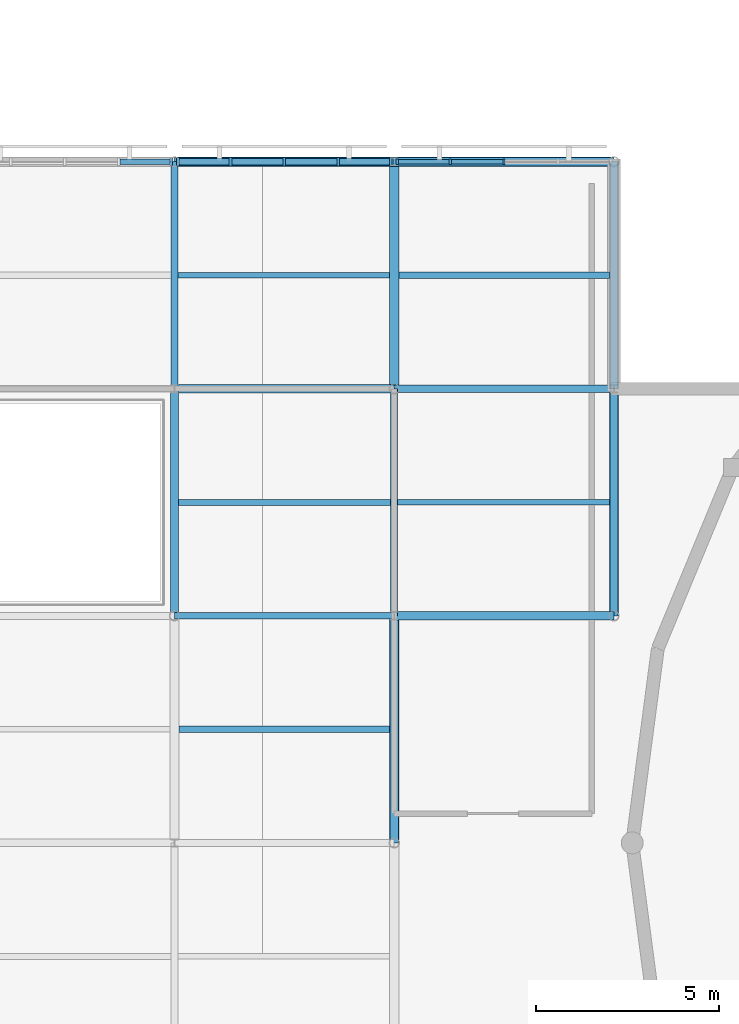
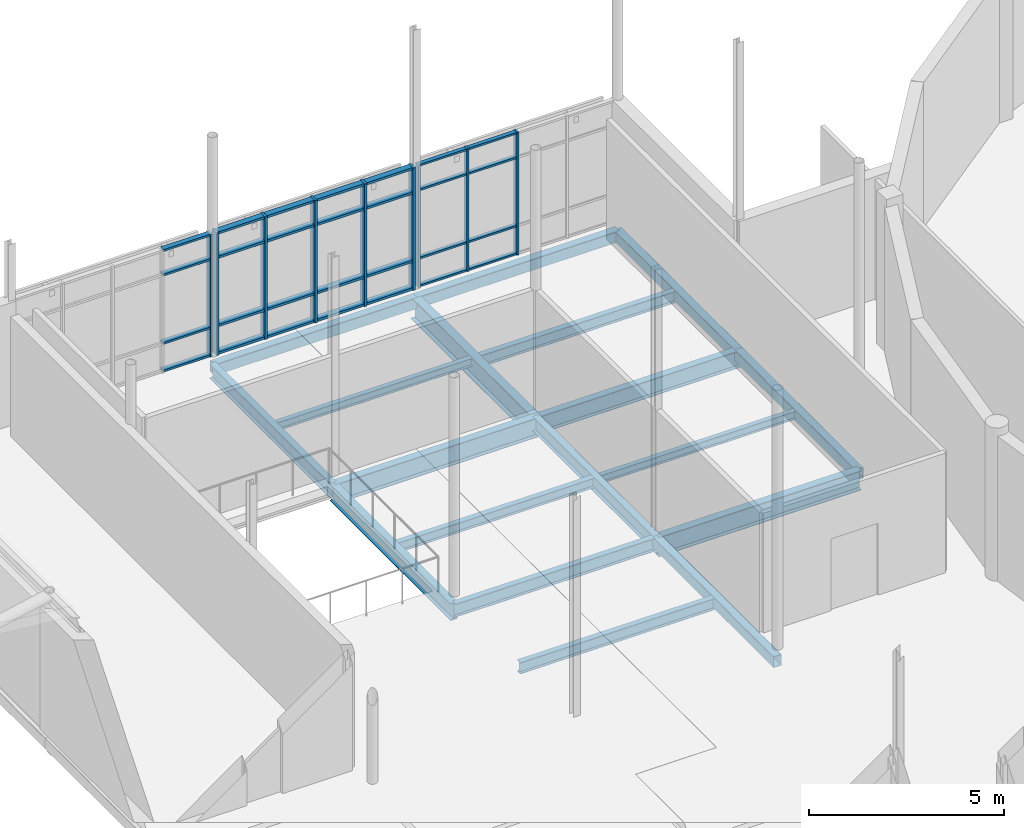
# One storey, part 26 of 66: 37 members, 18 beams, 3 elements without a shape of their own.
"""IFC4 building model written with IfcOpenShell, lengths in metres."""

from ifc_helpers import new_model, si_unit, direction, frame, origin, origin_2d, place, context, subcontext, project, spatial, rectangle, hollow_rectangle, i_section, extrude, material, layer, layer_set, material_profile, profile_set, type_object, element, aggregate, save


model = new_model("IFC4")

# Units and contexts
model_context = context("Model", 3, precision=1e-05, world=origin(), true_north=direction((0.0, 1.0)))
body_context = subcontext(model_context, "Body", "Model", "MODEL_VIEW")
ifc_project = project(units=[si_unit("LENGTHUNIT", "METRE"), si_unit("AREAUNIT", "SQUARE_METRE"), si_unit("VOLUMEUNIT", "CUBIC_METRE"), si_unit("PLANEANGLEUNIT", "RADIAN"), si_unit("MASSUNIT", "GRAM", prefix="KILO")], contexts=[model_context])

# Site, building, storey
site_placement = place(None, origin())
site = spatial("IfcSite", under=ifc_project, at=site_placement, CompositionType="ELEMENT")
building_placement = place(site_placement, origin())
building = spatial("IfcBuilding", under=site, at=building_placement, Name="Mirzam Square Science Centre", CompositionType="ELEMENT")
storey_placement = place(building_placement, frame((0.0, 0.0, 15.60009765625)))
storey = spatial("IfcBuildingStorey", under=building, at=storey_placement, Name="L03", CompositionType="ELEMENT", Elevation=15.60009765625)

# Beams
ifc_material_1 = material(Name="Steel S355", Category="steel")
ifc_material_profile_1 = material_profile(ifc_material_1, i_section(OverallWidth=0.1787109375, OverallDepth=0.409423828125, WebThickness=0.0087890625, FlangeThickness=0.014404296875, FilletRadius=0.01025390625, at=origin_2d()), Name="406x178x67UB")
ifc_profile_set_1 = profile_set([ifc_material_profile_1], Name="Steel S355")
beam_type_1 = type_object("IfcBeamType", Name="BM-UB406", PredefinedType="BEAM", material=ifc_profile_set_1)
beam_1_placement = place(storey_placement, frame((48.0, 68.199951171875, -0.46484375), z_axis=(1.0, 0.0, 0.0), x_axis=(0.0, 1.0, 0.0)))
element("IfcBeam", 1, at=beam_1_placement, inside=storey, type_object=beam_type_1, Name="L03 girder X9-12", PredefinedType="BEAM", context=body_context, shape_type="SweptSolid", body=[
    extrude(i_section(OverallWidth=0.1787109375, OverallDepth=0.409423828125, WebThickness=0.0087890625, FlangeThickness=0.014404296875, FilletRadius=0.01025390625, at=origin_2d()), origin(), (0.0, 0.0, 1.0), 6.0),
])
ifc_material_profile_2 = material_profile(ifc_material_1, i_section(OverallWidth=0.19140625, OverallDepth=0.4599609375, WebThickness=0.010009765625, FlangeThickness=0.01611328125, FilletRadius=0.01025390625, at=origin_2d()), Name="457x191x82UB")
ifc_profile_set_2 = profile_set([ifc_material_profile_2], Name="Steel S355")
beam_type_2 = type_object("IfcBeamType", Name="BM-UB457", PredefinedType="BEAM", material=ifc_profile_set_2)
beam_2_placement = place(storey_placement, frame((48.0, 74.39990234375, -0.489990234375), z_axis=(0.0, 1.0, 0.0), x_axis=(-1.0, 0.0, 0.0)))
element("IfcBeam", 2, at=beam_2_placement, inside=storey, type_object=beam_type_2, Name="L03 girder Y9-13", PredefinedType="BEAM", context=body_context, shape_type="SweptSolid", body=[
    extrude(i_section(OverallWidth=0.19140625, OverallDepth=0.4599609375, WebThickness=0.010009765625, FlangeThickness=0.01611328125, FilletRadius=0.01025390625, at=origin_2d()), origin(), (0.0, 0.0, 1.0), 6.2001953125),
])
beam_3_placement = place(storey_placement, frame((54.0, 68.199951171875, -0.489990234375), z_axis=(0.0, 1.0, 0.0), x_axis=(-1.0, 0.0, 0.0)))
element("IfcBeam", 3, at=beam_3_placement, inside=storey, type_object=beam_type_2, Name="L03 girder Y10-12", PredefinedType="BEAM", context=body_context, shape_type="SweptSolid", body=[
    extrude(i_section(OverallWidth=0.19140625, OverallDepth=0.4599609375, WebThickness=0.010009765625, FlangeThickness=0.01611328125, FilletRadius=0.01025390625, at=origin_2d()), origin(), (0.0, 0.0, 1.0), 6.199951171875),
])
ifc_material_profile_3 = material_profile(ifc_material_1, i_section(OverallWidth=0.2099609375, OverallDepth=0.53662109375, WebThickness=0.0107421875, FlangeThickness=0.017333984375, FilletRadius=0.0126953125, at=origin_2d()), Name="533x210x101UB")
ifc_profile_set_3 = profile_set([ifc_material_profile_3], Name="Steel S355")
beam_type_3 = type_object("IfcBeamType", Name="BM-UB533", PredefinedType="BEAM", material=ifc_profile_set_3)
beam_4_placement = place(storey_placement, frame((54.0, 74.39990234375, -0.528564453125), z_axis=(1.0, 0.0, 0.0), x_axis=(0.0, 1.0, 0.0)))
element("IfcBeam", 4, at=beam_4_placement, inside=storey, type_object=beam_type_3, Name="L03 girder X10-13", PredefinedType="BEAM", context=body_context, shape_type="SweptSolid", body=[
    extrude(i_section(OverallWidth=0.2099609375, OverallDepth=0.53662109375, WebThickness=0.0107421875, FlangeThickness=0.017333984375, FilletRadius=0.0126953125, at=origin_2d()), origin(), (0.0, 0.0, 1.0), 6.0),
])
beam_5_placement = place(storey_placement, frame((48.0, 68.199951171875, -0.528564453125), z_axis=(0.0, 1.0, 0.0), x_axis=(-1.0, 0.0, 0.0)))
element("IfcBeam", 5, at=beam_5_placement, inside=storey, type_object=beam_type_3, Name="L03 girder Y9-12", PredefinedType="BEAM", context=body_context, shape_type="SweptSolid", body=[
    extrude(i_section(OverallWidth=0.2099609375, OverallDepth=0.53662109375, WebThickness=0.0107421875, FlangeThickness=0.017333984375, FilletRadius=0.0126953125, at=origin_2d()), origin(), (0.0, 0.0, 1.0), 6.199951171875),
])
ifc_material_profile_4 = material_profile(ifc_material_1, i_section(OverallWidth=0.22900390625, OverallDepth=0.6123046875, WebThickness=0.011962890625, FlangeThickness=0.01953125, FilletRadius=0.0126953125, at=origin_2d()), Name="610x229x125UB")
ifc_profile_set_4 = profile_set([ifc_material_profile_4], Name="Steel S355")
beam_type_4 = type_object("IfcBeamType", Name="BM-UB610", PredefinedType="BEAM", material=ifc_profile_set_4)
for number, where, z_axis, x_axis, name in (
    (6, (54.0, 68.199951171875, -0.566162109375), (1.0, 0.0, 0.0), (0.0, 1.0, 0.0), "L03 girder X10-12"),
    (7, (48.0, 74.39990234375, -0.566162109375), (1.0, 0.0, 0.0), (0.0, 1.0, 0.0), "L03 girder X9-13"),
):
    element("IfcBeam", number, at=place(storey_placement, frame(where, z_axis=z_axis, x_axis=x_axis)), inside=storey, type_object=beam_type_4, Name=name, PredefinedType="BEAM", context=body_context, shape_type="SweptSolid", body=[
        extrude(i_section(OverallWidth=0.22900390625, OverallDepth=0.6123046875, WebThickness=0.011962890625, FlangeThickness=0.01953125, FilletRadius=0.0126953125, at=origin_2d()), origin(), (0.0, 0.0, 1.0), 6.0),
    ])
ifc_material_profile_5 = material_profile(ifc_material_1, i_section(OverallWidth=0.25439453125, OverallDepth=0.6875, WebThickness=0.01318359375, FlangeThickness=0.02099609375, FilletRadius=0.01513671875, at=origin_2d()), Name="686x254x152UB")
ifc_profile_set_5 = profile_set([ifc_material_profile_5], Name="Steel S355")
beam_type_5 = type_object("IfcBeamType", Name="BM-UB686", PredefinedType="BEAM", material=ifc_profile_set_5)
beam_6_placement = place(storey_placement, frame((54.0, 74.39990234375, -0.60400390625), z_axis=(0.0, 1.0, 0.0), x_axis=(-1.0, 0.0, 0.0)))
element("IfcBeam", 8, at=beam_6_placement, inside=storey, type_object=beam_type_5, Name="L03 girder Y10-13", PredefinedType="BEAM", context=body_context, shape_type="SweptSolid", body=[
    extrude(i_section(OverallWidth=0.25439453125, OverallDepth=0.6875, WebThickness=0.01318359375, FlangeThickness=0.02099609375, FilletRadius=0.01513671875, at=origin_2d()), origin(), (0.0, 0.0, 1.0), 6.2001953125),
])

# Curtain wall, members
ifc_material_2 = material(Name="Anodised Aluminium and Low-E Solar Glass", Category="aluminium")
ifc_layer_1 = layer(ifc_material_2, 0.199951171875)
ifc_layer_set_1 = layer_set([ifc_layer_1], Name="CW-EAST-A")
curtain_wall_type_1 = type_object("IfcCurtainWallType", Name="CW-EAST-A", PredefinedType="USERDEFINED", material=ifc_layer_set_1)
curtain_wall_1_placement = place(storey_placement, origin())
curtain_wall_1 = element("IfcCurtainWall", 9, at=curtain_wall_1_placement, inside=storey, type_object=curtain_wall_type_1, Name="L03 unitised curtain wall 33", ObjectType="UNITISED CURTAIN WALL", PredefinedType="USERDEFINED")
ifc_material_3 = material(Name="Anodised Architectural Aluminium 6063-T6", Category="aluminium")
ifc_material_profile_6 = material_profile(ifc_material_3, rectangle(XDim=0.06005859375, YDim=0.159912109375, at=origin_2d()), Name="ALU-MULL-160x60x4")
ifc_profile_set_6 = profile_set([ifc_material_profile_6], Name="Anodised Architectural Aluminium 6063-T6")
member_type_1 = type_object("IfcMemberType", Name="CWM-160", PredefinedType="MULLION", material=ifc_profile_set_6)
member_1_placement = place(storey_placement, frame((57.0, 80.60009765625, 0.0), z_axis=(0.0, 0.0, 1.0), x_axis=(-1.0, 0.0, 0.0)))
member_1 = element("IfcMember", 10, at=member_1_placement, type_object=member_type_1, Name="CW-05 mullion 3", PredefinedType="MULLION", context=body_context, shape_type="SweptSolid", body=[
    extrude(rectangle(XDim=0.06005859375, YDim=0.159912109375, at=origin_2d()), origin(), (0.0, 0.0, 1.0), 3.83984375),
])
member_2_placement = place(storey_placement, frame((55.527587890625, 80.60009765625, 0.0), z_axis=(0.0, 0.0, 1.0), x_axis=(-1.0, 0.0, 0.0)))
member_2 = element("IfcMember", 11, at=member_2_placement, type_object=member_type_1, Name="CW-05 mullion 4", PredefinedType="MULLION", context=body_context, shape_type="SweptSolid", body=[
    extrude(rectangle(XDim=0.06005859375, YDim=0.159912109375, at=origin_2d()), origin(), (0.0, 0.0, 1.0), 3.83984375),
])
member_3_placement = place(storey_placement, frame((54.0849609375, 80.60009765625, 0.0), z_axis=(0.0, 0.0, 1.0), x_axis=(-1.0, 0.0, 0.0)))
member_3 = element("IfcMember", 12, at=member_3_placement, type_object=member_type_1, Name="CW-05 mullion 5", PredefinedType="MULLION", context=body_context, shape_type="SweptSolid", body=[
    extrude(rectangle(XDim=0.06005859375, YDim=0.159912109375, at=origin_2d()), origin(), (0.0, 0.0, 1.0), 3.83984375),
])

# Curtain wall, member
ifc_layer_2 = layer(ifc_material_2, 0.159912109375)
ifc_layer_set_2 = layer_set([ifc_layer_2], Name="CW-COURT-A")
curtain_wall_type_2 = type_object("IfcCurtainWallType", Name="CW-COURT-A", PredefinedType="USERDEFINED", material=ifc_layer_set_2)
curtain_wall_2_placement = place(storey_placement, origin())
curtain_wall_2 = element("IfcCurtainWall", 13, at=curtain_wall_2_placement, inside=storey, type_object=curtain_wall_type_2, Name="L03 unitised curtain wall 31", ObjectType="UNITISED CURTAIN WALL", PredefinedType="USERDEFINED")
ifc_material_profile_7 = material_profile(ifc_material_3, rectangle(XDim=0.06494140625, YDim=0.199951171875, at=origin_2d()), Name="ALU-MULL-200x65x5")
ifc_profile_set_7 = profile_set([ifc_material_profile_7], Name="Anodised Architectural Aluminium 6063-T6")
member_type_2 = type_object("IfcMemberType", Name="CWM-200", PredefinedType="MULLION", material=ifc_profile_set_7)
member_4_placement = place(storey_placement, frame((47.91259765625, 80.60009765625, 0.0), z_axis=(0.0, 0.0, 1.0), x_axis=(-1.0, 0.0, 0.0)))
member_4 = element("IfcMember", 14, at=member_4_placement, type_object=member_type_2, Name="CW-03 mullion 1", PredefinedType="MULLION", context=body_context, shape_type="SweptSolid", body=[
    extrude(rectangle(XDim=0.06494140625, YDim=0.199951171875, at=origin_2d()), origin(), (0.0, 0.0, 1.0), 3.83984375),
])

# Curtain wall, members
ifc_layer_3 = layer(ifc_material_2, 0.159912109375)
ifc_layer_set_3 = layer_set([ifc_layer_3], Name="CW-COURT-B")
curtain_wall_type_3 = type_object("IfcCurtainWallType", Name="CW-COURT-B", PredefinedType="USERDEFINED", material=ifc_layer_set_3)
curtain_wall_3_placement = place(storey_placement, origin())
curtain_wall_3 = element("IfcCurtainWall", 15, at=curtain_wall_3_placement, inside=storey, type_object=curtain_wall_type_3, Name="L03 unitised curtain wall 32", ObjectType="UNITISED CURTAIN WALL", PredefinedType="USERDEFINED")
ifc_material_profile_8 = material_profile(ifc_material_3, rectangle(XDim=0.074951171875, YDim=0.239990234375, at=origin_2d()), Name="ALU-MULL-240x75x5")
ifc_profile_set_8 = profile_set([ifc_material_profile_8], Name="Anodised Architectural Aluminium 6063-T6")
member_type_3 = type_object("IfcMemberType", Name="CWM-240", PredefinedType="MULLION", material=ifc_profile_set_8)
member_5_placement = place(storey_placement, frame((53.907470703125, 80.60009765625, 0.0), z_axis=(0.0, 0.0, 1.0), x_axis=(-1.0, 0.0, 0.0)))
member_5 = element("IfcMember", 16, at=member_5_placement, type_object=member_type_3, Name="CW-04 mullion 1", PredefinedType="MULLION", context=body_context, shape_type="SweptSolid", body=[
    extrude(rectangle(XDim=0.074951171875, YDim=0.239990234375, at=origin_2d()), origin(), (0.0, 0.0, 1.0), 3.83984375),
])
member_6_placement = place(storey_placement, frame((52.472412109375, 80.60009765625, 0.0), z_axis=(0.0, 0.0, 1.0), x_axis=(-1.0, 0.0, 0.0)))
member_6 = element("IfcMember", 17, at=member_6_placement, type_object=member_type_3, Name="CW-04 mullion 2", PredefinedType="MULLION", context=body_context, shape_type="SweptSolid", body=[
    extrude(rectangle(XDim=0.074951171875, YDim=0.239990234375, at=origin_2d()), origin(), (0.0, 0.0, 1.0), 3.83984375),
])
member_7_placement = place(storey_placement, frame((51.0, 80.60009765625, 0.0), z_axis=(0.0, 0.0, 1.0), x_axis=(-1.0, 0.0, 0.0)))
member_7 = element("IfcMember", 18, at=member_7_placement, type_object=member_type_3, Name="CW-04 mullion 3", PredefinedType="MULLION", context=body_context, shape_type="SweptSolid", body=[
    extrude(rectangle(XDim=0.074951171875, YDim=0.239990234375, at=origin_2d()), origin(), (0.0, 0.0, 1.0), 3.83984375),
])
member_8_placement = place(storey_placement, frame((49.527587890625, 80.60009765625, 0.0), z_axis=(0.0, 0.0, 1.0), x_axis=(-1.0, 0.0, 0.0)))
member_8 = element("IfcMember", 19, at=member_8_placement, type_object=member_type_3, Name="CW-04 mullion 4", PredefinedType="MULLION", context=body_context, shape_type="SweptSolid", body=[
    extrude(rectangle(XDim=0.074951171875, YDim=0.239990234375, at=origin_2d()), origin(), (0.0, 0.0, 1.0), 3.83984375),
])
member_9_placement = place(storey_placement, frame((48.092529296875, 80.60009765625, 0.0), z_axis=(0.0, 0.0, 1.0), x_axis=(-1.0, 0.0, 0.0)))
member_9 = element("IfcMember", 20, at=member_9_placement, type_object=member_type_3, Name="CW-04 mullion 5", PredefinedType="MULLION", context=body_context, shape_type="SweptSolid", body=[
    extrude(rectangle(XDim=0.074951171875, YDim=0.239990234375, at=origin_2d()), origin(), (0.0, 0.0, 1.0), 3.83984375),
])

# Member
ifc_material_profile_9 = material_profile(ifc_material_3, rectangle(XDim=0.1201171875, YDim=0.06005859375, at=origin_2d()), Name="ALU-TRAN-120x60x4")
ifc_profile_set_9 = profile_set([ifc_material_profile_9], Name="Anodised Architectural Aluminium 6063-T6")
member_type_4 = type_object("IfcMemberType", Name="CWT-120", PredefinedType="USERDEFINED", material=ifc_profile_set_9)
member_10_placement = place(storey_placement, frame((56.969970703125, 80.60009765625, 0.02978515625), z_axis=(-1.0, 0.0, 0.0), x_axis=(0.0, -1.0, 0.0)))
member_10 = element("IfcMember", 21, at=member_10_placement, type_object=member_type_4, Name="CW-05 transom 3.1", ObjectType="TRANSOM", PredefinedType="USERDEFINED", context=body_context, shape_type="SweptSolid", body=[
    extrude(rectangle(XDim=0.1201171875, YDim=0.06005859375, at=origin_2d()), origin(), (0.0, 0.0, 1.0), 1.412353515625),
])

member_11_placement = place(storey_placement, frame((56.969970703125, 80.60009765625, 0.89990234375), z_axis=(-1.0, 0.0, 0.0), x_axis=(0.0, -1.0, 0.0)))
member_11 = element("IfcMember", 22, at=member_11_placement, type_object=member_type_4, Name="CW-05 transom 3.2", ObjectType="TRANSOM", PredefinedType="USERDEFINED", context=body_context, shape_type="SweptSolid", body=[
    extrude(rectangle(XDim=0.1201171875, YDim=0.06005859375, at=origin_2d()), origin(), (0.0, 0.0, 1.0), 1.412353515625),
])

member_12_placement = place(storey_placement, frame((56.969970703125, 80.60009765625, 3.039794921875), z_axis=(-1.0, 0.0, 0.0), x_axis=(0.0, -1.0, 0.0)))
member_12 = element("IfcMember", 23, at=member_12_placement, type_object=member_type_4, Name="CW-05 transom 3.3", ObjectType="TRANSOM", PredefinedType="USERDEFINED", context=body_context, shape_type="SweptSolid", body=[
    extrude(rectangle(XDim=0.1201171875, YDim=0.06005859375, at=origin_2d()), origin(), (0.0, 0.0, 1.0), 1.412353515625),
])

member_13_placement = place(storey_placement, frame((56.969970703125, 80.60009765625, 3.809814453125), z_axis=(-1.0, 0.0, 0.0), x_axis=(0.0, -1.0, 0.0)))
member_13 = element("IfcMember", 24, at=member_13_placement, type_object=member_type_4, Name="CW-05 transom 3.4", ObjectType="TRANSOM", PredefinedType="USERDEFINED", context=body_context, shape_type="SweptSolid", body=[
    extrude(rectangle(XDim=0.1201171875, YDim=0.06005859375, at=origin_2d()), origin(), (0.0, 0.0, 1.0), 1.412353515625),
])

member_14_placement = place(storey_placement, frame((55.49755859375, 80.60009765625, 0.02978515625), z_axis=(-1.0, 0.0, 0.0), x_axis=(0.0, -1.0, 0.0)))
member_14 = element("IfcMember", 25, at=member_14_placement, type_object=member_type_4, Name="CW-05 transom 4.1", ObjectType="TRANSOM", PredefinedType="USERDEFINED", context=body_context, shape_type="SweptSolid", body=[
    extrude(rectangle(XDim=0.1201171875, YDim=0.06005859375, at=origin_2d()), origin(), (0.0, 0.0, 1.0), 1.382568359375),
])

member_15_placement = place(storey_placement, frame((55.49755859375, 80.60009765625, 0.89990234375), z_axis=(-1.0, 0.0, 0.0), x_axis=(0.0, -1.0, 0.0)))
member_15 = element("IfcMember", 26, at=member_15_placement, type_object=member_type_4, Name="CW-05 transom 4.2", ObjectType="TRANSOM", PredefinedType="USERDEFINED", context=body_context, shape_type="SweptSolid", body=[
    extrude(rectangle(XDim=0.1201171875, YDim=0.06005859375, at=origin_2d()), origin(), (0.0, 0.0, 1.0), 1.382568359375),
])

member_16_placement = place(storey_placement, frame((55.49755859375, 80.60009765625, 3.039794921875), z_axis=(-1.0, 0.0, 0.0), x_axis=(0.0, -1.0, 0.0)))
member_16 = element("IfcMember", 27, at=member_16_placement, type_object=member_type_4, Name="CW-05 transom 4.3", ObjectType="TRANSOM", PredefinedType="USERDEFINED", context=body_context, shape_type="SweptSolid", body=[
    extrude(rectangle(XDim=0.1201171875, YDim=0.06005859375, at=origin_2d()), origin(), (0.0, 0.0, 1.0), 1.382568359375),
])

member_17_placement = place(storey_placement, frame((55.49755859375, 80.60009765625, 3.809814453125), z_axis=(-1.0, 0.0, 0.0), x_axis=(0.0, -1.0, 0.0)))
member_17 = element("IfcMember", 28, at=member_17_placement, type_object=member_type_4, Name="CW-05 transom 4.4", ObjectType="TRANSOM", PredefinedType="USERDEFINED", context=body_context, shape_type="SweptSolid", body=[
    extrude(rectangle(XDim=0.1201171875, YDim=0.06005859375, at=origin_2d()), origin(), (0.0, 0.0, 1.0), 1.382568359375),
])

aggregate(curtain_wall_1, [member_1, member_2, member_3, member_10, member_11, member_12, member_13, member_14, member_15, member_16, member_17])

ifc_material_profile_10 = material_profile(ifc_material_3, rectangle(XDim=0.14990234375, YDim=0.06494140625, at=origin_2d()), Name="ALU-TRAN-150x65x4")
ifc_profile_set_10 = profile_set([ifc_material_profile_10], Name="Anodised Architectural Aluminium 6063-T6")
member_type_5 = type_object("IfcMemberType", Name="CWT-150", PredefinedType="USERDEFINED", material=ifc_profile_set_10)
member_18_placement = place(storey_placement, frame((47.8798828125, 80.60009765625, 0.032470703125), z_axis=(-1.0, 0.0, 0.0), x_axis=(0.0, -1.0, 0.0)))
member_18 = element("IfcMember", 29, at=member_18_placement, type_object=member_type_5, Name="CW-03 transom 1.1", ObjectType="TRANSOM", PredefinedType="USERDEFINED", context=body_context, shape_type="SweptSolid", body=[
    extrude(rectangle(XDim=0.14990234375, YDim=0.06494140625, at=origin_2d()), origin(), (0.0, 0.0, 1.0), 1.375),
])

member_19_placement = place(storey_placement, frame((47.8798828125, 80.60009765625, 0.89990234375), z_axis=(-1.0, 0.0, 0.0), x_axis=(0.0, -1.0, 0.0)))
member_19 = element("IfcMember", 30, at=member_19_placement, type_object=member_type_5, Name="CW-03 transom 1.2", ObjectType="TRANSOM", PredefinedType="USERDEFINED", context=body_context, shape_type="SweptSolid", body=[
    extrude(rectangle(XDim=0.14990234375, YDim=0.06494140625, at=origin_2d()), origin(), (0.0, 0.0, 1.0), 1.375),
])

member_20_placement = place(storey_placement, frame((47.8798828125, 80.60009765625, 3.039794921875), z_axis=(-1.0, 0.0, 0.0), x_axis=(0.0, -1.0, 0.0)))
member_20 = element("IfcMember", 31, at=member_20_placement, type_object=member_type_5, Name="CW-03 transom 1.3", ObjectType="TRANSOM", PredefinedType="USERDEFINED", context=body_context, shape_type="SweptSolid", body=[
    extrude(rectangle(XDim=0.14990234375, YDim=0.06494140625, at=origin_2d()), origin(), (0.0, 0.0, 1.0), 1.375),
])

member_21_placement = place(storey_placement, frame((47.8798828125, 80.60009765625, 3.807373046875), z_axis=(-1.0, 0.0, 0.0), x_axis=(0.0, -1.0, 0.0)))
member_21 = element("IfcMember", 32, at=member_21_placement, type_object=member_type_5, Name="CW-03 transom 1.4", ObjectType="TRANSOM", PredefinedType="USERDEFINED", context=body_context, shape_type="SweptSolid", body=[
    extrude(rectangle(XDim=0.14990234375, YDim=0.06494140625, at=origin_2d()), origin(), (0.0, 0.0, 1.0), 1.375),
])

aggregate(curtain_wall_2, [member_4, member_18, member_19, member_20, member_21])

ifc_material_profile_11 = material_profile(ifc_material_3, rectangle(XDim=0.179931640625, YDim=0.074951171875, at=origin_2d()), Name="ALU-TRAN-180x75x5")
ifc_profile_set_11 = profile_set([ifc_material_profile_11], Name="Anodised Architectural Aluminium 6063-T6")
member_type_6 = type_object("IfcMemberType", Name="CWT-180", PredefinedType="USERDEFINED", material=ifc_profile_set_11)
member_22_placement = place(storey_placement, frame((53.8701171875, 80.60009765625, 0.037353515625), z_axis=(-1.0, 0.0, 0.0), x_axis=(0.0, -1.0, 0.0)))
member_22 = element("IfcMember", 33, at=member_22_placement, type_object=member_type_6, Name="CW-04 transom 1.1", ObjectType="TRANSOM", PredefinedType="USERDEFINED", context=body_context, shape_type="SweptSolid", body=[
    extrude(rectangle(XDim=0.179931640625, YDim=0.074951171875, at=origin_2d()), origin(), (0.0, 0.0, 1.0), 1.360107421875),
])

member_23_placement = place(storey_placement, frame((53.8701171875, 80.60009765625, 0.89990234375), z_axis=(-1.0, 0.0, 0.0), x_axis=(0.0, -1.0, 0.0)))
member_23 = element("IfcMember", 34, at=member_23_placement, type_object=member_type_6, Name="CW-04 transom 1.2", ObjectType="TRANSOM", PredefinedType="USERDEFINED", context=body_context, shape_type="SweptSolid", body=[
    extrude(rectangle(XDim=0.179931640625, YDim=0.074951171875, at=origin_2d()), origin(), (0.0, 0.0, 1.0), 1.360107421875),
])

member_24_placement = place(storey_placement, frame((53.8701171875, 80.60009765625, 3.039794921875), z_axis=(-1.0, 0.0, 0.0), x_axis=(0.0, -1.0, 0.0)))
member_24 = element("IfcMember", 35, at=member_24_placement, type_object=member_type_6, Name="CW-04 transom 1.3", ObjectType="TRANSOM", PredefinedType="USERDEFINED", context=body_context, shape_type="SweptSolid", body=[
    extrude(rectangle(XDim=0.179931640625, YDim=0.074951171875, at=origin_2d()), origin(), (0.0, 0.0, 1.0), 1.360107421875),
])

member_25_placement = place(storey_placement, frame((53.8701171875, 80.60009765625, 3.802490234375), z_axis=(-1.0, 0.0, 0.0), x_axis=(0.0, -1.0, 0.0)))
member_25 = element("IfcMember", 36, at=member_25_placement, type_object=member_type_6, Name="CW-04 transom 1.4", ObjectType="TRANSOM", PredefinedType="USERDEFINED", context=body_context, shape_type="SweptSolid", body=[
    extrude(rectangle(XDim=0.179931640625, YDim=0.074951171875, at=origin_2d()), origin(), (0.0, 0.0, 1.0), 1.360107421875),
])

member_26_placement = place(storey_placement, frame((52.43505859375, 80.60009765625, 0.037353515625), z_axis=(-1.0, 0.0, 0.0), x_axis=(0.0, -1.0, 0.0)))
member_26 = element("IfcMember", 37, at=member_26_placement, type_object=member_type_6, Name="CW-04 transom 2.1", ObjectType="TRANSOM", PredefinedType="USERDEFINED", context=body_context, shape_type="SweptSolid", body=[
    extrude(rectangle(XDim=0.179931640625, YDim=0.074951171875, at=origin_2d()), origin(), (0.0, 0.0, 1.0), 1.3974609375),
])

member_27_placement = place(storey_placement, frame((52.43505859375, 80.60009765625, 0.89990234375), z_axis=(-1.0, 0.0, 0.0), x_axis=(0.0, -1.0, 0.0)))
member_27 = element("IfcMember", 38, at=member_27_placement, type_object=member_type_6, Name="CW-04 transom 2.2", ObjectType="TRANSOM", PredefinedType="USERDEFINED", context=body_context, shape_type="SweptSolid", body=[
    extrude(rectangle(XDim=0.179931640625, YDim=0.074951171875, at=origin_2d()), origin(), (0.0, 0.0, 1.0), 1.3974609375),
])

member_28_placement = place(storey_placement, frame((52.43505859375, 80.60009765625, 3.039794921875), z_axis=(-1.0, 0.0, 0.0), x_axis=(0.0, -1.0, 0.0)))
member_28 = element("IfcMember", 39, at=member_28_placement, type_object=member_type_6, Name="CW-04 transom 2.3", ObjectType="TRANSOM", PredefinedType="USERDEFINED", context=body_context, shape_type="SweptSolid", body=[
    extrude(rectangle(XDim=0.179931640625, YDim=0.074951171875, at=origin_2d()), origin(), (0.0, 0.0, 1.0), 1.3974609375),
])

member_29_placement = place(storey_placement, frame((52.43505859375, 80.60009765625, 3.802490234375), z_axis=(-1.0, 0.0, 0.0), x_axis=(0.0, -1.0, 0.0)))
member_29 = element("IfcMember", 40, at=member_29_placement, type_object=member_type_6, Name="CW-04 transom 2.4", ObjectType="TRANSOM", PredefinedType="USERDEFINED", context=body_context, shape_type="SweptSolid", body=[
    extrude(rectangle(XDim=0.179931640625, YDim=0.074951171875, at=origin_2d()), origin(), (0.0, 0.0, 1.0), 1.3974609375),
])

member_30_placement = place(storey_placement, frame((50.96240234375, 80.60009765625, 0.037353515625), z_axis=(-1.0, 0.0, 0.0), x_axis=(0.0, -1.0, 0.0)))
member_30 = element("IfcMember", 41, at=member_30_placement, type_object=member_type_6, Name="CW-04 transom 3.1", ObjectType="TRANSOM", PredefinedType="USERDEFINED", context=body_context, shape_type="SweptSolid", body=[
    extrude(rectangle(XDim=0.179931640625, YDim=0.074951171875, at=origin_2d()), origin(), (0.0, 0.0, 1.0), 1.3974609375),
])

member_31_placement = place(storey_placement, frame((50.96240234375, 80.60009765625, 0.89990234375), z_axis=(-1.0, 0.0, 0.0), x_axis=(0.0, -1.0, 0.0)))
member_31 = element("IfcMember", 42, at=member_31_placement, type_object=member_type_6, Name="CW-04 transom 3.2", ObjectType="TRANSOM", PredefinedType="USERDEFINED", context=body_context, shape_type="SweptSolid", body=[
    extrude(rectangle(XDim=0.179931640625, YDim=0.074951171875, at=origin_2d()), origin(), (0.0, 0.0, 1.0), 1.3974609375),
])

member_32_placement = place(storey_placement, frame((50.96240234375, 80.60009765625, 3.039794921875), z_axis=(-1.0, 0.0, 0.0), x_axis=(0.0, -1.0, 0.0)))
member_32 = element("IfcMember", 43, at=member_32_placement, type_object=member_type_6, Name="CW-04 transom 3.3", ObjectType="TRANSOM", PredefinedType="USERDEFINED", context=body_context, shape_type="SweptSolid", body=[
    extrude(rectangle(XDim=0.179931640625, YDim=0.074951171875, at=origin_2d()), origin(), (0.0, 0.0, 1.0), 1.3974609375),
])

member_33_placement = place(storey_placement, frame((50.96240234375, 80.60009765625, 3.802490234375), z_axis=(-1.0, 0.0, 0.0), x_axis=(0.0, -1.0, 0.0)))
member_33 = element("IfcMember", 44, at=member_33_placement, type_object=member_type_6, Name="CW-04 transom 3.4", ObjectType="TRANSOM", PredefinedType="USERDEFINED", context=body_context, shape_type="SweptSolid", body=[
    extrude(rectangle(XDim=0.179931640625, YDim=0.074951171875, at=origin_2d()), origin(), (0.0, 0.0, 1.0), 1.3974609375),
])

member_34_placement = place(storey_placement, frame((49.489990234375, 80.60009765625, 0.037353515625), z_axis=(-1.0, 0.0, 0.0), x_axis=(0.0, -1.0, 0.0)))
member_34 = element("IfcMember", 45, at=member_34_placement, type_object=member_type_6, Name="CW-04 transom 4.1", ObjectType="TRANSOM", PredefinedType="USERDEFINED", context=body_context, shape_type="SweptSolid", body=[
    extrude(rectangle(XDim=0.179931640625, YDim=0.074951171875, at=origin_2d()), origin(), (0.0, 0.0, 1.0), 1.360107421875),
])

member_35_placement = place(storey_placement, frame((49.489990234375, 80.60009765625, 0.89990234375), z_axis=(-1.0, 0.0, 0.0), x_axis=(0.0, -1.0, 0.0)))
member_35 = element("IfcMember", 46, at=member_35_placement, type_object=member_type_6, Name="CW-04 transom 4.2", ObjectType="TRANSOM", PredefinedType="USERDEFINED", context=body_context, shape_type="SweptSolid", body=[
    extrude(rectangle(XDim=0.179931640625, YDim=0.074951171875, at=origin_2d()), origin(), (0.0, 0.0, 1.0), 1.360107421875),
])

member_36_placement = place(storey_placement, frame((49.489990234375, 80.60009765625, 3.039794921875), z_axis=(-1.0, 0.0, 0.0), x_axis=(0.0, -1.0, 0.0)))
member_36 = element("IfcMember", 47, at=member_36_placement, type_object=member_type_6, Name="CW-04 transom 4.3", ObjectType="TRANSOM", PredefinedType="USERDEFINED", context=body_context, shape_type="SweptSolid", body=[
    extrude(rectangle(XDim=0.179931640625, YDim=0.074951171875, at=origin_2d()), origin(), (0.0, 0.0, 1.0), 1.360107421875),
])

member_37_placement = place(storey_placement, frame((49.489990234375, 80.60009765625, 3.802490234375), z_axis=(-1.0, 0.0, 0.0), x_axis=(0.0, -1.0, 0.0)))
member_37 = element("IfcMember", 48, at=member_37_placement, type_object=member_type_6, Name="CW-04 transom 4.4", ObjectType="TRANSOM", PredefinedType="USERDEFINED", context=body_context, shape_type="SweptSolid", body=[
    extrude(rectangle(XDim=0.179931640625, YDim=0.074951171875, at=origin_2d()), origin(), (0.0, 0.0, 1.0), 1.360107421875),
])

aggregate(curtain_wall_3, [member_5, member_6, member_7, member_8, member_9, member_22, member_23, member_24, member_25, member_26, member_27, member_28, member_29, member_30, member_31, member_32, member_33, member_34, member_35, member_36, member_37])

# Beams
ifc_material_profile_12 = material_profile(ifc_material_1, i_section(OverallWidth=0.146484375, OverallDepth=0.256103515625, WebThickness=0.00634765625, FlangeThickness=0.010986328125, FilletRadius=0.007568359375, at=origin_2d()), Name="254x146x37UB")
ifc_profile_set_12 = profile_set([ifc_material_profile_12], Name="Steel S355")
beam_type_6 = type_object("IfcBeamType", Name="JS-UB254", PredefinedType="JOIST", material=ifc_profile_set_12)
beam_7_placement = place(storey_placement, frame((48.095703125, 77.5, -0.38818359375), z_axis=(1.0, 0.0, 0.0), x_axis=(0.0, 1.0, 0.0)))
element("IfcBeam", 49, at=beam_7_placement, inside=storey, type_object=beam_type_6, Name="L03 composite joist 9-13", PredefinedType="JOIST", context=body_context, shape_type="SweptSolid", body=[
    extrude(i_section(OverallWidth=0.146484375, OverallDepth=0.256103515625, WebThickness=0.00634765625, FlangeThickness=0.010986328125, FilletRadius=0.007568359375, at=origin_2d()), origin(), (0.0, 0.0, 1.0), 5.777099609375),
])
beam_8_placement = place(storey_placement, frame((54.095703125, 71.300048828125, -0.38818359375), z_axis=(1.0, 0.0, 0.0), x_axis=(0.0, 1.0, 0.0)))
element("IfcBeam", 50, at=beam_8_placement, inside=storey, type_object=beam_type_6, Name="L03 composite joist 10-12", PredefinedType="JOIST", context=body_context, shape_type="SweptSolid", body=[
    extrude(i_section(OverallWidth=0.146484375, OverallDepth=0.256103515625, WebThickness=0.00634765625, FlangeThickness=0.010986328125, FilletRadius=0.007568359375, at=origin_2d()), origin(), (0.0, 0.0, 1.0), 5.779296875),
])
ifc_material_profile_13 = material_profile(ifc_material_1, i_section(OverallWidth=0.165771484375, OverallDepth=0.306640625, WebThickness=0.006591796875, FlangeThickness=0.01171875, FilletRadius=0.0087890625, at=origin_2d()), Name="305x165x46UB")
ifc_profile_set_13 = profile_set([ifc_material_profile_13], Name="Steel S355")
beam_type_7 = type_object("IfcBeamType", Name="JS-UB305", PredefinedType="JOIST", material=ifc_profile_set_13)
beam_9_placement = place(storey_placement, frame((48.10498046875, 71.300048828125, -0.413330078125), z_axis=(1.0, 0.0, 0.0), x_axis=(0.0, 1.0, 0.0)))
element("IfcBeam", 51, at=beam_9_placement, inside=storey, type_object=beam_type_7, Name="L03 composite joist 9-12", PredefinedType="JOIST", context=body_context, shape_type="SweptSolid", body=[
    extrude(i_section(OverallWidth=0.165771484375, OverallDepth=0.306640625, WebThickness=0.006591796875, FlangeThickness=0.01171875, FilletRadius=0.0087890625, at=origin_2d()), origin(), (0.0, 0.0, 1.0), 5.79931640625),
])
ifc_material_profile_14 = material_profile(ifc_material_1, i_section(OverallWidth=0.172119140625, OverallDepth=0.35791015625, WebThickness=0.008056640625, FlangeThickness=0.012939453125, FilletRadius=0.01025390625, at=origin_2d()), Name="356x171x57UB")
ifc_profile_set_14 = profile_set([ifc_material_profile_14], Name="Steel S355")
beam_type_8 = type_object("IfcBeamType", Name="JS-UB356", PredefinedType="JOIST", material=ifc_profile_set_14)
for number, where, z_axis, x_axis, name in (
    (52, (48.127197265625, 65.10009765625, -0.439208984375), (1.0, 0.0, 0.0), (0.0, 1.0, 0.0), "L03 composite joist 9-11"),
    (53, (54.127197265625, 77.5, -0.439208984375), (1.0, 0.0, 0.0), (0.0, 1.0, 0.0), "L03 composite joist 10-13"),
):
    element("IfcBeam", number, at=place(storey_placement, frame(where, z_axis=z_axis, x_axis=x_axis)), inside=storey, type_object=beam_type_8, Name=name, PredefinedType="JOIST", context=body_context, shape_type="SweptSolid", body=[
        extrude(i_section(OverallWidth=0.172119140625, OverallDepth=0.35791015625, WebThickness=0.008056640625, FlangeThickness=0.012939453125, FilletRadius=0.01025390625, at=origin_2d()), origin(), (0.0, 0.0, 1.0), 5.747802734375),
    ])
ifc_material_profile_15 = material_profile(ifc_material_1, hollow_rectangle(XDim=0.25, YDim=0.35009765625, WallThickness=0.012451171875, InnerFilletRadius=0.012451171875, OuterFilletRadius=0.02490234375, at=origin_2d()), Name="350x250x12.5RHS")
ifc_profile_set_15 = profile_set([ifc_material_profile_15], Name="Steel S355")
beam_type_9 = type_object("IfcBeamType", Name="SP-RHS350", PredefinedType="SPANDREL", material=ifc_profile_set_15)
for number, where, z_axis, x_axis, name in (
    (54, (48.0, 80.60009765625, -0.43505859375), (1.0, 0.0, 0.0), (0.0, 1.0, 0.0), "L03 girder X9-14"),
    (55, (54.0, 80.60009765625, -0.43505859375), (1.0, 0.0, 0.0), (0.0, 1.0, 0.0), "L03 girder X10-14"),
):
    element("IfcBeam", number, at=place(storey_placement, frame(where, z_axis=z_axis, x_axis=x_axis)), inside=storey, type_object=beam_type_9, Name=name, PredefinedType="SPANDREL", context=body_context, shape_type="SweptSolid", body=[
        extrude(hollow_rectangle(XDim=0.25, YDim=0.35009765625, WallThickness=0.012451171875, InnerFilletRadius=0.012451171875, OuterFilletRadius=0.02490234375, at=origin_2d()), origin(), (0.0, 0.0, 1.0), 6.0),
    ])
for number, where, z_axis, x_axis, name in (
    (56, (54.0, 62.0, -0.43505859375), (0.0, 1.0, 0.0), (-1.0, 0.0, 0.0), "L03 girder Y10-11"),
    (57, (60.0, 68.199951171875, -0.43505859375), (0.0, 1.0, 0.0), (-1.0, 0.0, 0.0), "L03 girder Y11-12"),
):
    element("IfcBeam", number, at=place(storey_placement, frame(where, z_axis=z_axis, x_axis=x_axis)), inside=storey, type_object=beam_type_9, Name=name, PredefinedType="SPANDREL", context=body_context, shape_type="SweptSolid", body=[
        extrude(hollow_rectangle(XDim=0.25, YDim=0.35009765625, WallThickness=0.012451171875, InnerFilletRadius=0.012451171875, OuterFilletRadius=0.02490234375, at=origin_2d()), origin(), (0.0, 0.0, 1.0), 6.199951171875),
    ])
beam_10_placement = place(storey_placement, frame((60.0, 74.39990234375, -0.43505859375), z_axis=(0.0, 1.0, 0.0), x_axis=(-1.0, 0.0, 0.0)))
element("IfcBeam", 58, at=beam_10_placement, inside=storey, type_object=beam_type_9, Name="L03 girder Y11-13", PredefinedType="SPANDREL", context=body_context, shape_type="SweptSolid", body=[
    extrude(hollow_rectangle(XDim=0.25, YDim=0.35009765625, WallThickness=0.012451171875, InnerFilletRadius=0.012451171875, OuterFilletRadius=0.02490234375, at=origin_2d()), origin(), (0.0, 0.0, 1.0), 6.2001953125),
])

save(model, "model.ifc")
